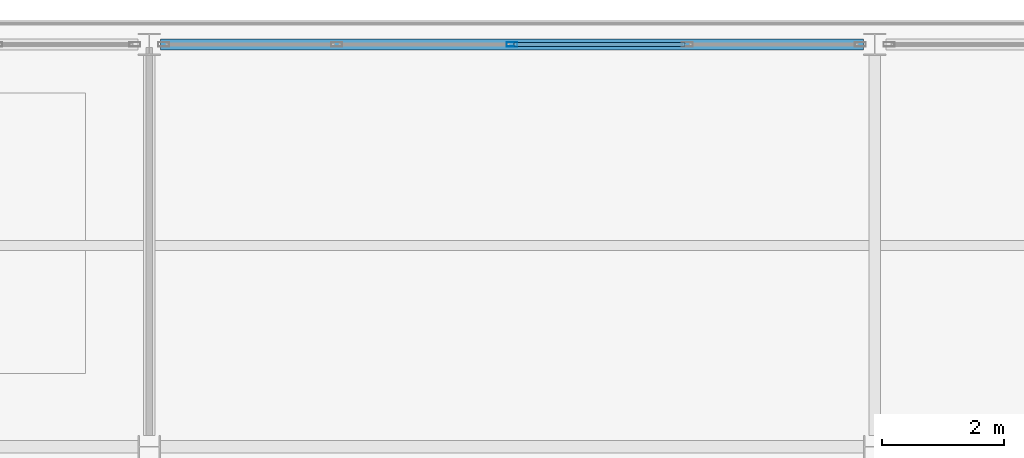
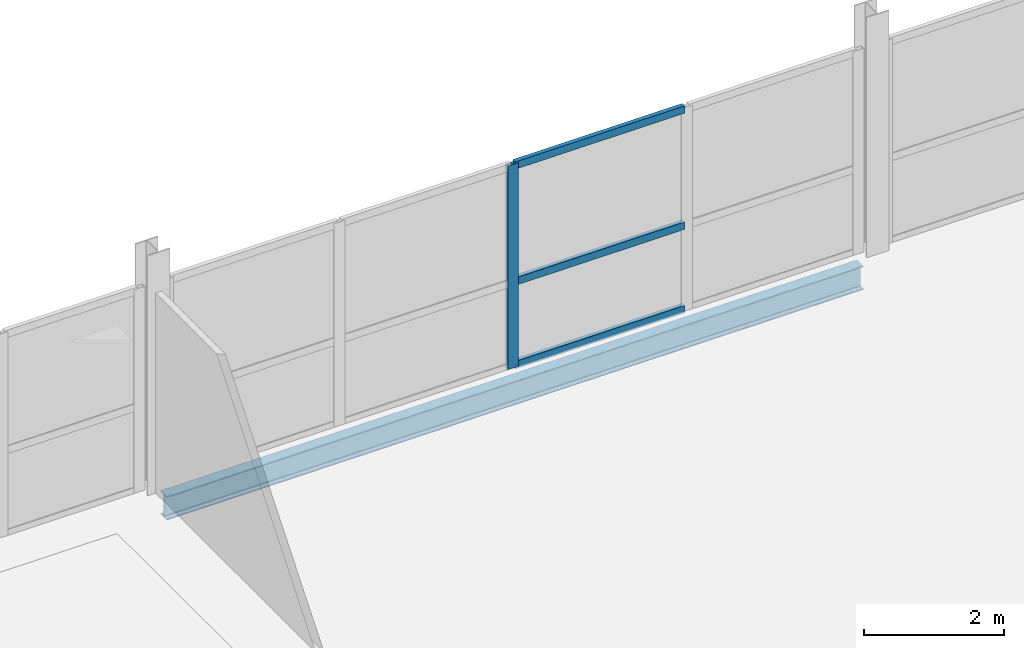
# One storey, part 8 of 16: 4 members, 1 beam, 1 element without a shape of its own.
"""IFC4 building model written with IfcOpenShell, lengths in metres."""

from ifc_helpers import new_model, si_unit, direction, frame, origin, origin_2d, place, context, subcontext, project, spatial, hollow_rectangle, i_section, extrude, material, layer, layer_set, material_profile, profile_set, type_object, element, aggregate, save


model = new_model("IFC4")

# Units and contexts
model_context = context("Model", 3, precision=1e-05, world=origin(), true_north=direction((0.0, 1.0)))
body_context = subcontext(model_context, "Body", "Model", "MODEL_VIEW")
ifc_project = project(units=[si_unit("LENGTHUNIT", "METRE"), si_unit("AREAUNIT", "SQUARE_METRE"), si_unit("VOLUMEUNIT", "CUBIC_METRE"), si_unit("PLANEANGLEUNIT", "RADIAN"), si_unit("MASSUNIT", "GRAM", prefix="KILO")], contexts=[model_context])

# Site, building, storey
site_placement = place(None, origin())
site = spatial("IfcSite", under=ifc_project, at=site_placement, CompositionType="ELEMENT")
building_placement = place(site_placement, origin())
building = spatial("IfcBuilding", under=site, at=building_placement, Name="Quillay Park Conservatory", CompositionType="ELEMENT")
storey_placement = place(building_placement, frame((0.0, 0.0, 43.5)))
storey = spatial("IfcBuildingStorey", under=building, at=storey_placement, Name="L10", CompositionType="ELEMENT", Elevation=43.5)

# Curtain wall, members
ifc_material_1 = material(Name="Thermally Broken Anodised Aluminium 6063-T6", Category="aluminium")
ifc_layer = layer(ifc_material_1, 0.179931640625)
ifc_layer_set = layer_set([ifc_layer], Name="UNITISED CURTAIN WALL TOWER (Thermally Broken Anodised Aluminium 6063-T6)")
curtain_wall_type = type_object("IfcCurtainWallType", Name="UNITISED CURTAIN WALL TOWER", PredefinedType="USERDEFINED", material=ifc_layer_set)
curtain_wall_placement = place(storey_placement, origin())
curtain_wall = element("IfcCurtainWall", 1, at=curtain_wall_placement, inside=storey, type_object=curtain_wall_type, Name="L10 Unitised Curtain Wall 103", ObjectType="UNITISED CURTAIN WALL", PredefinedType="USERDEFINED")
ifc_material_2 = material(Name="Thermally Broken Anodised Aluminium 6063-T6", Category="aluminium")
ifc_material_profile_1 = material_profile(ifc_material_2, hollow_rectangle(XDim=0.070068359375, YDim=0.179931640625, WallThickness=0.00390625, at=origin_2d()), Name="AL70x180x4")
ifc_profile_set_1 = profile_set([ifc_material_profile_1], Name="Thermally Broken Anodised Aluminium 6063-T6")
member_type_1 = type_object("IfcMemberType", Name="CURTAIN WALL MULLION 70 X180", PredefinedType="MULLION", material=ifc_profile_set_1)
member_1_placement = place(storey_placement, frame((13.800048828125, 113.39990234375, 0.0), z_axis=(0.0, 0.0, 1.0), x_axis=(0.0, 1.0, 0.0)))
member_1 = element("IfcMember", 2, at=member_1_placement, type_object=member_type_1, Name="CW-T1 mullion 3", PredefinedType="MULLION", context=body_context, shape_type="SweptSolid", body=[
    extrude(hollow_rectangle(XDim=0.070068359375, YDim=0.179931640625, WallThickness=0.00390625, at=origin_2d()), origin(), (0.0, 0.0, 1.0), 3.56396484375),
])
ifc_material_3 = material(Name="Thermally Broken Anodised Aluminium 6063-T6", Category="aluminium")
ifc_material_profile_2 = material_profile(ifc_material_3, hollow_rectangle(XDim=0.070068359375, YDim=0.1298828125, WallThickness=0.003173828125, at=origin_2d()), Name="AL70x130x3.2")
ifc_profile_set_2 = profile_set([ifc_material_profile_2], Name="Thermally Broken Anodised Aluminium 6063-T6")
member_type_2 = type_object("IfcMemberType", Name="CURTAIN WALL TRANSOM 70 X130", PredefinedType="USERDEFINED", material=ifc_profile_set_2)
member_2_placement = place(storey_placement, frame((13.8349609375, 113.39990234375, 0.034912109375), z_axis=(1.0, 0.0, 0.0), x_axis=(0.0, 1.0, 0.0)))
member_2 = element("IfcMember", 3, at=member_2_placement, type_object=member_type_2, Name="CW-T1 transom 3.1", ObjectType="TRANSOM", PredefinedType="USERDEFINED", context=body_context, shape_type="SweptSolid", body=[
    extrude(hollow_rectangle(XDim=0.070068359375, YDim=0.1298828125, WallThickness=0.003173828125, at=origin_2d()), origin(), (0.0, 0.0, 1.0), 2.804931640625),
])
member_3_placement = place(storey_placement, frame((13.8349609375, 113.39990234375, 1.496826171875), z_axis=(1.0, 0.0, 0.0), x_axis=(0.0, 1.0, 0.0)))
member_3 = element("IfcMember", 4, at=member_3_placement, type_object=member_type_2, Name="CW-T1 transom 3.2", ObjectType="TRANSOM", PredefinedType="USERDEFINED", context=body_context, shape_type="SweptSolid", body=[
    extrude(hollow_rectangle(XDim=0.070068359375, YDim=0.1298828125, WallThickness=0.003173828125, at=origin_2d()), origin(), (0.0, 0.0, 1.0), 2.804931640625),
])
member_4_placement = place(storey_placement, frame((13.8349609375, 113.39990234375, 3.529052734375), z_axis=(1.0, 0.0, 0.0), x_axis=(0.0, 1.0, 0.0)))
member_4 = element("IfcMember", 5, at=member_4_placement, type_object=member_type_2, Name="CW-T1 transom 3.3", ObjectType="TRANSOM", PredefinedType="USERDEFINED", context=body_context, shape_type="SweptSolid", body=[
    extrude(hollow_rectangle(XDim=0.070068359375, YDim=0.1298828125, WallThickness=0.003173828125, at=origin_2d()), origin(), (0.0, 0.0, 1.0), 2.804931640625),
])
aggregate(curtain_wall, [member_1, member_2, member_3, member_4])

# Beam
ifc_material_4 = material(Name="Steel ASTM A992 Grade 50", Category="steel")
ifc_material_profile_3 = material_profile(ifc_material_4, i_section(OverallWidth=0.179931640625, OverallDepth=0.4130859375, WebThickness=0.009765625, FlangeThickness=0.01611328125, FilletRadius=0.011962890625, at=origin_2d()), Name="W410x74")
ifc_profile_set_3 = profile_set([ifc_material_profile_3], Name="Steel ASTM A992 Grade 50")
beam_type = type_object("IfcBeamType", Name="PERIMETER SPANDREL BEAM W410 X74", PredefinedType="SPANDREL", material=ifc_profile_set_3)
beam_placement = place(storey_placement, frame((8.035400390625, 113.39990234375, -0.406494140625), z_axis=(1.0, 0.0, 0.0), x_axis=(0.0, 1.0, 0.0)))
element("IfcBeam", 6, at=beam_placement, inside=storey, type_object=beam_type, Name="L10 beam BM-SP-0727", PredefinedType="SPANDREL", context=body_context, shape_type="SweptSolid", body=[
    extrude(i_section(OverallWidth=0.179931640625, OverallDepth=0.4130859375, WebThickness=0.009765625, FlangeThickness=0.01611328125, FilletRadius=0.011962890625, at=origin_2d()), origin(), (0.0, 0.0, 1.0), 11.529052734375),
])

save(model, "model.ifc")
